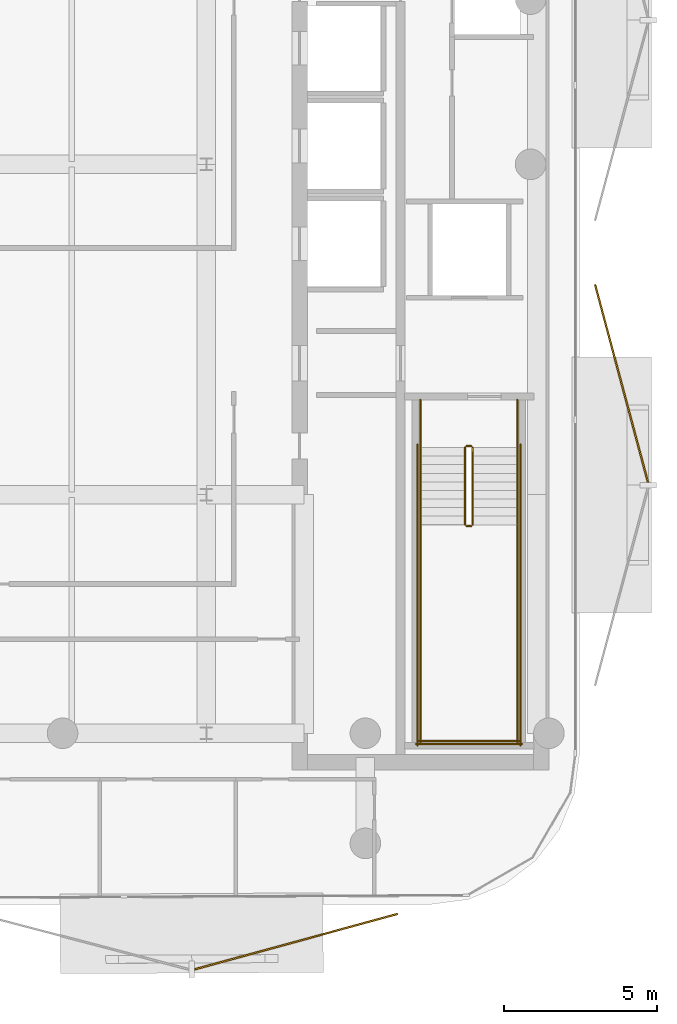
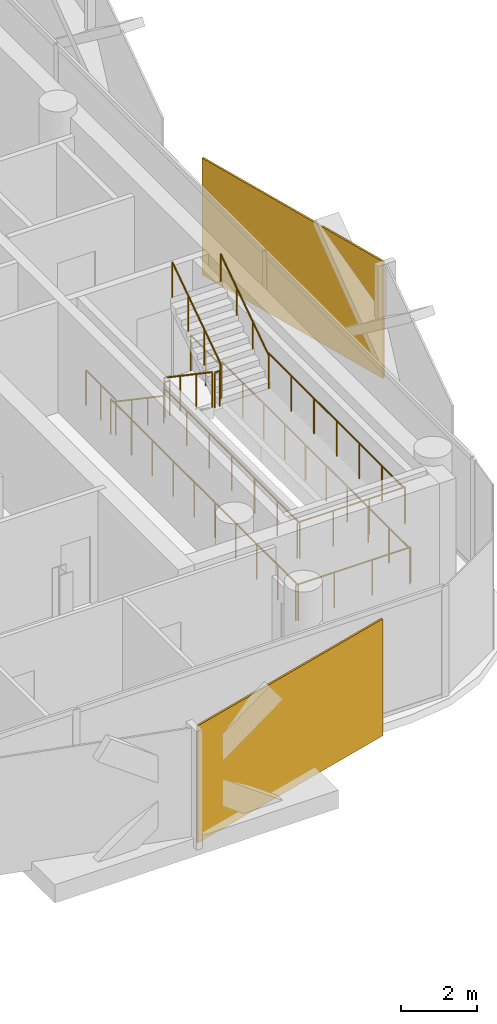
# One storey, part 15 of 16: 14 railings, 2 coverings.
"""IFC4 building model written with IfcOpenShell, lengths in metres."""

from ifc_helpers import new_model, si_unit, direction, frame, origin, origin_2d, place, context, subcontext, project, spatial, rectangle, circle, extrude, material, layer, layer_set, type_object, element, save


model = new_model("IFC4")

# Units and contexts
model_context = context("Model", 3, precision=1e-05, world=origin(), true_north=direction((0.0, 1.0)))
body_context = subcontext(model_context, "Body", "Model", "MODEL_VIEW")
ifc_project = project(units=[si_unit("LENGTHUNIT", "METRE"), si_unit("AREAUNIT", "SQUARE_METRE"), si_unit("VOLUMEUNIT", "CUBIC_METRE"), si_unit("PLANEANGLEUNIT", "RADIAN"), si_unit("MASSUNIT", "GRAM", prefix="KILO")], contexts=[model_context])

# Site, building, storey
site_placement = place(None, origin())
site = spatial("IfcSite", under=ifc_project, at=site_placement, CompositionType="ELEMENT")
building_placement = place(site_placement, origin())
building = spatial("IfcBuilding", under=site, at=building_placement, Name="Khairoan Windgate Tower", CompositionType="ELEMENT")
storey_placement = place(building_placement, frame((0.0, 0.0, 281.39990234375)))
storey = spatial("IfcBuildingStorey", under=building, at=storey_placement, Name="L67", CompositionType="ELEMENT", Elevation=281.39990234375)

# Coverings
ifc_material_1 = material(Name="Anodised Bronze Aluminium 6063-T6", Category="aluminium")
ifc_layer = layer(ifc_material_1, 0.054931640625, Name="Anodised Bronze Aluminium 6063-T6")
ifc_layer_set = layer_set([ifc_layer], Name="Anodised Bronze Aluminium 6063-T6")
covering_type = type_object("IfcCoveringType", Name="Perforated Bronze-Ceramic Folded Solar Screen Cladding BSC-1", PredefinedType="CLADDING", material=ifc_layer_set)
covering_1_placement = place(storey_placement, frame((12.13330078125, -25.413330078125, -0.10009765625), z_axis=(0.0, 0.0, 1.0), x_axis=(-0.964649468762, -0.263536339841, 0.0)))
element("IfcCovering", 1, at=covering_1_placement, inside=storey, type_object=covering_type, Name="L67 Folded Bronze Solar Screen Facet 462L", PredefinedType="CLADDING", context=body_context, shape_type="SweptSolid", body=[
    extrude(rectangle(XDim=6.8798828125, YDim=0.054931640625, at=origin_2d()), origin(), (0.0, 0.0, 1.0), 3.739990234375),
])
covering_2_placement = place(storey_placement, frame((22.774169921875, -7.166015625, -0.10009765625), z_axis=(0.0, 0.0, 1.0), x_axis=(0.258819045103, -0.965925826289, 0.0)))
element("IfcCovering", 2, at=covering_2_placement, inside=storey, type_object=covering_type, Name="L67 Folded Bronze Solar Screen Facet 469L", PredefinedType="CLADDING", context=body_context, shape_type="SweptSolid", body=[
    extrude(rectangle(XDim=6.69091796875, YDim=0.054931640625, at=origin_2d()), origin(), (0.0, 0.0, 1.0), 3.739990234375),
])

# Railings
ifc_material_2 = material(Name="Anodised Bronze Aluminium 6063-T6", Category="aluminium")
railing_type_1 = type_object("IfcRailingType", Name="Stair Wall Handrail SHR-900", PredefinedType="HANDRAIL", material=ifc_material_2)
railing_1_placement = place(storey_placement, frame((16.199951171875, -9.260009765625, 0.190185546875)))
element("IfcRailing", 3, at=railing_1_placement, inside=storey, type_object=railing_type_1, Name="L67 ST1 stair handrail 1", PredefinedType="HANDRAIL", context=body_context, shape_type="SweptSolid", body=[
    extrude(circle(Radius=0.02392578125, at=origin_2d()), frame((0.0, 0.0, 0.8759765625), z_axis=(0.0, -0.827483756001, 0.561489655786), x_axis=(1.0, 0.0, 0.0)), (0.0, 0.0, 1.0), 3.04541015625),
    extrude(circle(Radius=0.02099609375, at=origin_2d()), origin(), (0.0, 0.0, 1.0), 0.851806640625),
    extrude(circle(Radius=0.02099609375, at=origin_2d()), frame((0.0, -0.840087890625, 0.570068359375)), (0.0, 0.0, 1.0), 0.851806640625),
    extrude(circle(Radius=0.02099609375, at=origin_2d()), frame((0.0, -1.679931640625, 1.139892578125)), (0.0, 0.0, 1.0), 0.851806640625),
    extrude(circle(Radius=0.02099609375, at=origin_2d()), frame((0.0, -2.52001953125, 1.7099609375)), (0.0, 0.0, 1.0), 0.851806640625),
])
railing_2_placement = place(storey_placement, frame((19.3701171875, -11.780029296875, 2.090087890625)))
element("IfcRailing", 4, at=railing_2_placement, inside=storey, type_object=railing_type_1, Name="L67 ST1 stair handrail 2", PredefinedType="HANDRAIL", context=body_context, shape_type="SweptSolid", body=[
    extrude(circle(Radius=0.02392578125, at=origin_2d()), frame((0.0, 0.0, 0.8759765625), z_axis=(0.0, 0.827483756001, 0.561489655786), x_axis=(-1.0, 0.0, 0.0)), (0.0, 0.0, 1.0), 3.04541015625),
    extrude(circle(Radius=0.02099609375, at=origin_2d()), origin(), (0.0, 0.0, 1.0), 0.851806640625),
    extrude(circle(Radius=0.02099609375, at=origin_2d()), frame((0.0, 0.840087890625, 0.570068359375)), (0.0, 0.0, 1.0), 0.851806640625),
    extrude(circle(Radius=0.02099609375, at=origin_2d()), frame((0.0, 1.679931640625, 1.139892578125)), (0.0, 0.0, 1.0), 0.851806640625),
    extrude(circle(Radius=0.02099609375, at=origin_2d()), frame((0.0, 2.52001953125, 1.7099609375)), (0.0, 0.0, 1.0), 0.851806640625),
])
ifc_material_3 = material(Name="Steel S355", Category="steel")
railing_type_2 = type_object("IfcRailingType", Name="Stairwell Safety Guardrail SGR-1150", PredefinedType="GUARDRAIL", material=ifc_material_3)
railing_3_placement = place(storey_placement, frame((17.659912109375, -9.260009765625, 0.190185546875)))
element("IfcRailing", 5, at=railing_3_placement, inside=storey, type_object=railing_type_2, Name="L67 ST1 stair guard 1", PredefinedType="GUARDRAIL", context=body_context, shape_type="SweptSolid", body=[
    extrude(circle(Radius=0.02392578125, at=origin_2d()), frame((0.0, 0.0, 1.1259765625), z_axis=(0.0, -0.827483756001, 0.561489655786), x_axis=(1.0, 0.0, 0.0)), (0.0, 0.0, 1.0), 3.04541015625),
    extrude(circle(Radius=0.02099609375, at=origin_2d()), origin(), (0.0, 0.0, 1.0), 1.101806640625),
    extrude(circle(Radius=0.02099609375, at=origin_2d()), frame((0.0, -0.840087890625, 0.570068359375)), (0.0, 0.0, 1.0), 1.101806640625),
    extrude(circle(Radius=0.02099609375, at=origin_2d()), frame((0.0, -1.679931640625, 1.139892578125)), (0.0, 0.0, 1.0), 1.101806640625),
    extrude(circle(Radius=0.02099609375, at=origin_2d()), frame((0.0, -2.52001953125, 1.7099609375)), (0.0, 0.0, 1.0), 1.101806640625),
])
railing_4_placement = place(storey_placement, frame((17.7099609375, -11.830078125, 1.900146484375)))
element("IfcRailing", 6, at=railing_4_placement, inside=storey, type_object=railing_type_2, Name="L67 ST1 stair guard 2", PredefinedType="GUARDRAIL", context=body_context, shape_type="SweptSolid", body=[
    extrude(circle(Radius=0.02392578125, at=origin_2d()), frame((0.0, 0.0, 1.1259765625), z_axis=(1.0, 0.0, 0.0), x_axis=(0.0, 1.0, 0.0)), (0.0, 0.0, 1.0), 0.150146484375),
    extrude(circle(Radius=0.02099609375, at=origin_2d()), origin(), (0.0, 0.0, 1.0), 1.101806640625),
    extrude(circle(Radius=0.02099609375, at=origin_2d()), frame((0.150146484375, 0.0, 0.0)), (0.0, 0.0, 1.0), 1.101806640625),
])
for number, where, name in (
    (7, (16.199951171875, -11.780029296875, 1.900146484375), "L67 ST1 stair guard 3"),
    (8, (19.3701171875, -11.780029296875, 1.900146484375), "L67 ST1 stair guard 4"),
):
    element("IfcRailing", number, at=place(storey_placement, frame(where)), inside=storey, type_object=railing_type_2, Name=name, PredefinedType="GUARDRAIL", context=body_context, shape_type="SweptSolid", body=[
        extrude(circle(Radius=0.02392578125, at=origin_2d()), frame((0.0, 0.0, 1.1259765625), z_axis=(0.0, -1.0, 0.0), x_axis=(1.0, 0.0, 0.0)), (0.0, 0.0, 1.0), 7.119873046875),
        extrude(circle(Radius=0.02099609375, at=origin_2d()), origin(), (0.0, 0.0, 1.0), 1.101806640625),
        extrude(circle(Radius=0.02099609375, at=origin_2d()), frame((0.0, -1.1865234375, 0.0)), (0.0, 0.0, 1.0), 1.101806640625),
        extrude(circle(Radius=0.02099609375, at=origin_2d()), frame((0.0, -2.373291015625, 0.0)), (0.0, 0.0, 1.0), 1.101806640625),
        extrude(circle(Radius=0.02099609375, at=origin_2d()), frame((0.0, -3.56005859375, 0.0)), (0.0, 0.0, 1.0), 1.101806640625),
        extrude(circle(Radius=0.02099609375, at=origin_2d()), frame((0.0, -4.74658203125, 0.0)), (0.0, 0.0, 1.0), 1.101806640625),
        extrude(circle(Radius=0.02099609375, at=origin_2d()), frame((0.0, -5.93310546875, 0.0)), (0.0, 0.0, 1.0), 1.101806640625),
        extrude(circle(Radius=0.02099609375, at=origin_2d()), frame((0.0, -7.119873046875, 0.0)), (0.0, 0.0, 1.0), 1.101806640625),
    ])
railing_5_placement = place(storey_placement, frame((16.14990234375, -18.85009765625, 1.900146484375)))
element("IfcRailing", 9, at=railing_5_placement, inside=storey, type_object=railing_type_2, Name="L67 ST1 stair guard 5", PredefinedType="GUARDRAIL", context=body_context, shape_type="SweptSolid", body=[
    extrude(circle(Radius=0.02392578125, at=origin_2d()), frame((0.0, 0.0, 1.1259765625), z_axis=(1.0, 0.0, 0.0), x_axis=(0.0, 1.0, 0.0)), (0.0, 0.0, 1.0), 3.27001953125),
    extrude(circle(Radius=0.02099609375, at=origin_2d()), origin(), (0.0, 0.0, 1.0), 1.101806640625),
    extrude(circle(Radius=0.02099609375, at=origin_2d()), frame((1.090087890625, 0.0, 0.0)), (0.0, 0.0, 1.0), 1.101806640625),
    extrude(circle(Radius=0.02099609375, at=origin_2d()), frame((2.179931640625, 0.0, 0.0)), (0.0, 0.0, 1.0), 1.101806640625),
    extrude(circle(Radius=0.02099609375, at=origin_2d()), frame((3.27001953125, 0.0, 0.0)), (0.0, 0.0, 1.0), 1.101806640625),
])
railing_6_placement = place(storey_placement, frame((17.909912109375, -11.780029296875, 2.090087890625)))
element("IfcRailing", 10, at=railing_6_placement, inside=storey, type_object=railing_type_2, Name="L67 ST1 stair guard 6", PredefinedType="GUARDRAIL", context=body_context, shape_type="SweptSolid", body=[
    extrude(circle(Radius=0.02392578125, at=origin_2d()), frame((0.0, 0.0, 1.1259765625), z_axis=(0.0, 0.827483756001, 0.561489655786), x_axis=(-1.0, 0.0, 0.0)), (0.0, 0.0, 1.0), 3.04541015625),
    extrude(circle(Radius=0.02099609375, at=origin_2d()), origin(), (0.0, 0.0, 1.0), 1.101806640625),
    extrude(circle(Radius=0.02099609375, at=origin_2d()), frame((0.0, 0.840087890625, 0.570068359375)), (0.0, 0.0, 1.0), 1.101806640625),
    extrude(circle(Radius=0.02099609375, at=origin_2d()), frame((0.0, 1.679931640625, 1.139892578125)), (0.0, 0.0, 1.0), 1.101806640625),
    extrude(circle(Radius=0.02099609375, at=origin_2d()), frame((0.0, 2.52001953125, 1.7099609375)), (0.0, 0.0, 1.0), 1.101806640625),
])
railing_7_placement = place(storey_placement, frame((17.7099609375, -9.2099609375, 0.0)))
element("IfcRailing", 11, at=railing_7_placement, inside=storey, type_object=railing_type_2, Name="L67 ST1 stair guard 7", PredefinedType="GUARDRAIL", context=body_context, shape_type="SweptSolid", body=[
    extrude(circle(Radius=0.02392578125, at=origin_2d()), frame((0.0, 0.0, 1.1259765625), z_axis=(1.0, 0.0, 0.0), x_axis=(0.0, 1.0, 0.0)), (0.0, 0.0, 1.0), 0.150146484375),
    extrude(circle(Radius=0.02099609375, at=origin_2d()), origin(), (0.0, 0.0, 1.0), 1.101806640625),
    extrude(circle(Radius=0.02099609375, at=origin_2d()), frame((0.150146484375, 0.0, 0.0)), (0.0, 0.0, 1.0), 1.101806640625),
])
for number, where, name in (
    (12, (16.199951171875, -7.699951171875, 0.0), "L67 ST1 stair guard 8"),
    (13, (19.3701171875, -7.699951171875, 0.0), "L67 ST1 stair guard 9"),
):
    element("IfcRailing", number, at=place(storey_placement, frame(where)), inside=storey, type_object=railing_type_2, Name=name, PredefinedType="GUARDRAIL", context=body_context, shape_type="SweptSolid", body=[
        extrude(circle(Radius=0.02392578125, at=origin_2d()), frame((0.0, 0.0, 1.1259765625), z_axis=(0.0, -1.0, 0.0), x_axis=(1.0, 0.0, 0.0)), (0.0, 0.0, 1.0), 1.56005859375),
        extrude(circle(Radius=0.02099609375, at=origin_2d()), origin(), (0.0, 0.0, 1.0), 1.101806640625),
        extrude(circle(Radius=0.02099609375, at=origin_2d()), frame((0.0, -0.780029296875, 0.0)), (0.0, 0.0, 1.0), 1.101806640625),
        extrude(circle(Radius=0.02099609375, at=origin_2d()), frame((0.0, -1.56005859375, 0.0)), (0.0, 0.0, 1.0), 1.101806640625),
    ])
for number, where, name in (
    (14, (16.10009765625, -9.159912109375, 0.0), "L67 ST1 stair guard 10"),
    (15, (19.469970703125, -9.159912109375, 0.0), "L67 ST1 stair guard 11"),
):
    element("IfcRailing", number, at=place(storey_placement, frame(where)), inside=storey, type_object=railing_type_2, Name=name, PredefinedType="GUARDRAIL", context=body_context, shape_type="SweptSolid", body=[
        extrude(circle(Radius=0.02392578125, at=origin_2d()), frame((0.0, 0.0, 1.1259765625), z_axis=(0.0, -1.0, 0.0), x_axis=(1.0, 0.0, 0.0)), (0.0, 0.0, 1.0), 9.840087890625),
        extrude(circle(Radius=0.02099609375, at=origin_2d()), origin(), (0.0, 0.0, 1.0), 1.101806640625),
        extrude(circle(Radius=0.02099609375, at=origin_2d()), frame((0.0, -1.09326171875, 0.0)), (0.0, 0.0, 1.0), 1.101806640625),
        extrude(circle(Radius=0.02099609375, at=origin_2d()), frame((0.0, -2.186767578125, 0.0)), (0.0, 0.0, 1.0), 1.101806640625),
        extrude(circle(Radius=0.02099609375, at=origin_2d()), frame((0.0, -3.280029296875, 0.0)), (0.0, 0.0, 1.0), 1.101806640625),
        extrude(circle(Radius=0.02099609375, at=origin_2d()), frame((0.0, -4.373291015625, 0.0)), (0.0, 0.0, 1.0), 1.101806640625),
        extrude(circle(Radius=0.02099609375, at=origin_2d()), frame((0.0, -5.466796875, 0.0)), (0.0, 0.0, 1.0), 1.101806640625),
        extrude(circle(Radius=0.02099609375, at=origin_2d()), frame((0.0, -6.56005859375, 0.0)), (0.0, 0.0, 1.0), 1.101806640625),
        extrude(circle(Radius=0.02099609375, at=origin_2d()), frame((0.0, -7.6533203125, 0.0)), (0.0, 0.0, 1.0), 1.101806640625),
        extrude(circle(Radius=0.02099609375, at=origin_2d()), frame((0.0, -8.746826171875, 0.0)), (0.0, 0.0, 1.0), 1.101806640625),
        extrude(circle(Radius=0.02099609375, at=origin_2d()), frame((0.0, -9.840087890625, 0.0)), (0.0, 0.0, 1.0), 1.101806640625),
    ])
railing_8_placement = place(storey_placement, frame((16.050048828125, -18.949951171875, 0.0)))
element("IfcRailing", 16, at=railing_8_placement, inside=storey, type_object=railing_type_2, Name="L67 ST1 stair guard 12", PredefinedType="GUARDRAIL", context=body_context, shape_type="SweptSolid", body=[
    extrude(circle(Radius=0.02392578125, at=origin_2d()), frame((0.0, 0.0, 1.1259765625), z_axis=(1.0, 0.0, 0.0), x_axis=(0.0, 1.0, 0.0)), (0.0, 0.0, 1.0), 3.469970703125),
    extrude(circle(Radius=0.02099609375, at=origin_2d()), origin(), (0.0, 0.0, 1.0), 1.101806640625),
    extrude(circle(Radius=0.02099609375, at=origin_2d()), frame((1.15673828125, 0.0, 0.0)), (0.0, 0.0, 1.0), 1.101806640625),
    extrude(circle(Radius=0.02099609375, at=origin_2d()), frame((2.313232421875, 0.0, 0.0)), (0.0, 0.0, 1.0), 1.101806640625),
    extrude(circle(Radius=0.02099609375, at=origin_2d()), frame((3.469970703125, 0.0, 0.0)), (0.0, 0.0, 1.0), 1.101806640625),
])

save(model, "model.ifc")
